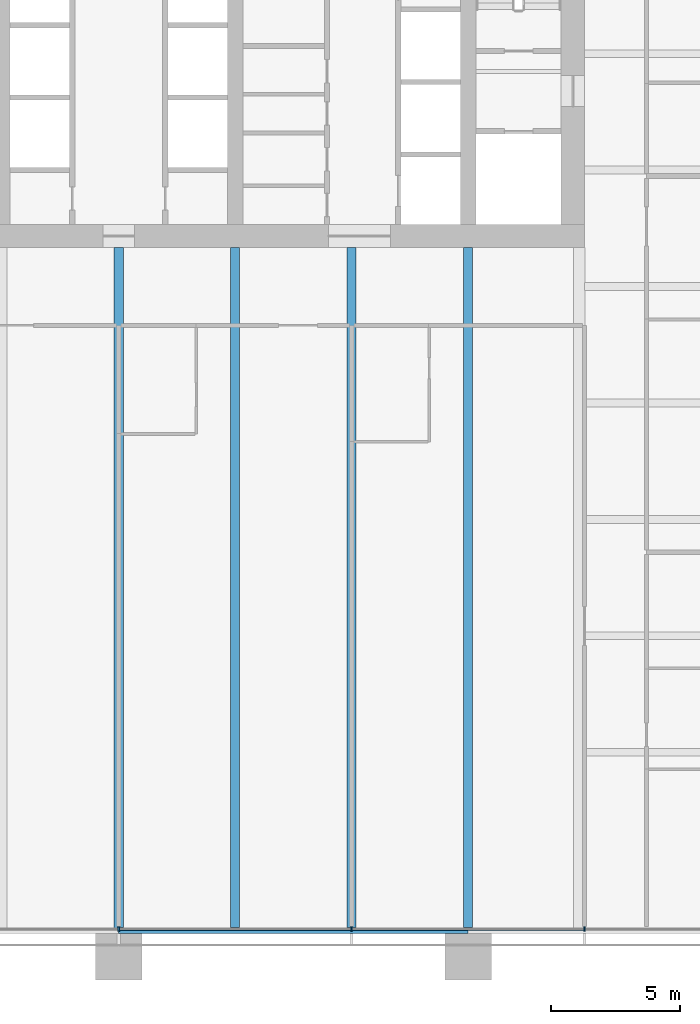
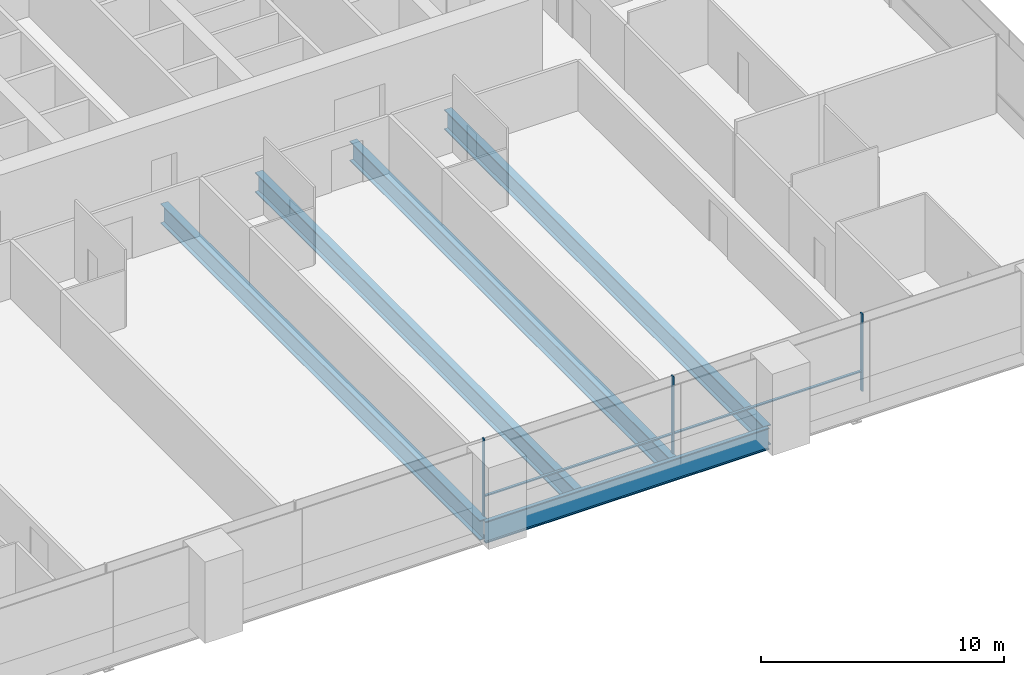
# One storey, part 5 of 19: 5 beams, 5 members, 1 element without a shape of its own.
"""IFC4 building model written with IfcOpenShell, lengths in metres."""

from ifc_helpers import new_model, si_unit, direction, frame, origin, origin_2d, place, context, subcontext, project, spatial, rectangle, i_section, extrude, material, material_profile, profile_set, type_object, element, aggregate, save


model = new_model("IFC4")

# Units and contexts
model_context = context("Model", 3, precision=1e-05, world=origin(), true_north=direction((0.0, 1.0)))
body_context = subcontext(model_context, "Body", "Model", "MODEL_VIEW")
ifc_project = project(units=[si_unit("LENGTHUNIT", "METRE"), si_unit("AREAUNIT", "SQUARE_METRE"), si_unit("VOLUMEUNIT", "CUBIC_METRE"), si_unit("PLANEANGLEUNIT", "RADIAN"), si_unit("MASSUNIT", "GRAM", prefix="KILO")], contexts=[model_context])

# Site, building, storey
site_placement = place(None, origin())
site = spatial("IfcSite", under=ifc_project, at=site_placement, CompositionType="ELEMENT")
building_placement = place(site_placement, origin())
building = spatial("IfcBuilding", under=site, at=building_placement, Name="Rattan Terrace Tower", CompositionType="ELEMENT")
storey_placement = place(building_placement, frame((0.0, 0.0, 65.199951171875)))
storey = spatial("IfcBuildingStorey", under=building, at=storey_placement, Name="L14", CompositionType="ELEMENT", Elevation=65.199951171875)

# Curtain wall, members
ifc_material_1 = material(Name="Aluminium and glass", Category="aluminium")
curtain_wall_type = type_object("IfcCurtainWallType", Name="Facade Unitised Curtain Wall", PredefinedType="NOTDEFINED", material=ifc_material_1)
curtain_wall_placement = place(storey_placement, origin())
curtain_wall = element("IfcCurtainWall", 1, at=curtain_wall_placement, inside=storey, type_object=curtain_wall_type, Name="Curtain wall L14-4", PredefinedType="NOTDEFINED")
ifc_material_2 = material(Name="Aluminium", Category="aluminium")
ifc_material_profile_1 = material_profile(ifc_material_2, rectangle(XDim=0.06005859375, YDim=0.159912109375, at=origin_2d()), Name="Aluminium 60x160")
ifc_profile_set_1 = profile_set([ifc_material_profile_1], Name="Aluminium")
member_type_1 = type_object("IfcMemberType", Name="Facade CW Mullion 60x160", PredefinedType="MULLION", material=ifc_profile_set_1)
member_1_placement = place(storey_placement, frame((0.0, -33.830078125, 0.0), z_axis=(0.0, 0.0, 1.0), x_axis=(1.0, 0.0, 0.0)))
member_1 = element("IfcMember", 2, at=member_1_placement, type_object=member_type_1, Name="Mullion cwl-L14-004.4", PredefinedType="MULLION", context=body_context, shape_type="SweptSolid", body=[
    extrude(rectangle(XDim=0.06005859375, YDim=0.159912109375, at=origin_2d()), origin(), (0.0, 0.0, 1.0), 3.900146484375),
])
member_2_placement = place(storey_placement, frame((9.0, -33.830078125, 0.0), z_axis=(0.0, 0.0, 1.0), x_axis=(1.0, 0.0, 0.0)))
member_2 = element("IfcMember", 3, at=member_2_placement, type_object=member_type_1, Name="Mullion cwl-L14-004.5", PredefinedType="MULLION", context=body_context, shape_type="SweptSolid", body=[
    extrude(rectangle(XDim=0.06005859375, YDim=0.159912109375, at=origin_2d()), origin(), (0.0, 0.0, 1.0), 3.900146484375),
])
member_3_placement = place(storey_placement, frame((18.0, -33.830078125, 0.0), z_axis=(0.0, 0.0, 1.0), x_axis=(1.0, 0.0, 0.0)))
member_3 = element("IfcMember", 4, at=member_3_placement, type_object=member_type_1, Name="Mullion cwl-L14-004.6", PredefinedType="MULLION", context=body_context, shape_type="SweptSolid", body=[
    extrude(rectangle(XDim=0.06005859375, YDim=0.159912109375, at=origin_2d()), origin(), (0.0, 0.0, 1.0), 3.900146484375),
])
ifc_material_3 = material(Name="Aluminium", Category="aluminium")
ifc_material_profile_2 = material_profile(ifc_material_3, rectangle(XDim=0.1201171875, YDim=0.06005859375, at=origin_2d()), Name="Aluminium 120x60")
ifc_profile_set_2 = profile_set([ifc_material_profile_2], Name="Aluminium")
member_type_2 = type_object("IfcMemberType", Name="Facade CW Transom 120x60", PredefinedType="USERDEFINED", material=ifc_profile_set_2)
member_4_placement = place(storey_placement, frame((0.030029296875, -33.830078125, 1.0), z_axis=(1.0, 0.0, 0.0), x_axis=(0.0, 1.0, 0.0)))
member_4 = element("IfcMember", 5, at=member_4_placement, type_object=member_type_2, Name="Transom cwl-L14-004.4", ObjectType="TRANSOM", PredefinedType="USERDEFINED", context=body_context, shape_type="SweptSolid", body=[
    extrude(rectangle(XDim=0.1201171875, YDim=0.06005859375, at=origin_2d()), origin(), (0.0, 0.0, 1.0), 8.93994140625),
])
member_5_placement = place(storey_placement, frame((9.030029296875, -33.830078125, 1.0), z_axis=(1.0, 0.0, 0.0), x_axis=(0.0, 1.0, 0.0)))
member_5 = element("IfcMember", 6, at=member_5_placement, type_object=member_type_2, Name="Transom cwl-L14-004.5", ObjectType="TRANSOM", PredefinedType="USERDEFINED", context=body_context, shape_type="SweptSolid", body=[
    extrude(rectangle(XDim=0.1201171875, YDim=0.06005859375, at=origin_2d()), origin(), (0.0, 0.0, 1.0), 8.93994140625),
])
aggregate(curtain_wall, [member_1, member_2, member_3, member_4, member_5])

# Beams
ifc_material_4 = material(Name="Steel S460", Category="steel")
ifc_material_profile_3 = material_profile(ifc_material_4, i_section(OverallWidth=0.179931640625, OverallDepth=1.10009765625, WebThickness=0.01611328125, FlangeThickness=0.050048828125, at=origin_2d()), Name="PG 1100x180-16-50")
ifc_profile_set_3 = profile_set([ifc_material_profile_3], Name="Steel S460")
beam_type_1 = type_object("IfcBeamType", Name="Frame edge girder PG 1100x180-16-50", PredefinedType="SPANDREL", material=ifc_profile_set_3)
beam_placement = place(storey_placement, frame((0.0, -33.909912109375, -0.75), z_axis=(1.0, 0.0, 0.0), x_axis=(0.0, 1.0, 0.0)))
element("IfcBeam", 7, at=beam_placement, inside=storey, type_object=beam_type_1, Name="gdr-L14-003", PredefinedType="SPANDREL", context=body_context, shape_type="SweptSolid", body=[
    extrude(i_section(OverallWidth=0.179931640625, OverallDepth=1.10009765625, WebThickness=0.01611328125, FlangeThickness=0.050048828125, at=origin_2d()), origin(), (0.0, 0.0, 1.0), 13.5),
])
ifc_material_5 = material(Name="Steel S460", Category="steel")
ifc_material_profile_4 = material_profile(ifc_material_5, i_section(OverallWidth=0.35009765625, OverallDepth=1.0, WebThickness=0.01611328125, FlangeThickness=0.044921875, at=origin_2d()), Name="PG 1000x350-16-45")
ifc_profile_set_4 = profile_set([ifc_material_profile_4], Name="Steel S460")
beam_type_2 = type_object("IfcBeamType", Name="Frame floor beam PG 1000x350-16-45", PredefinedType="JOIST", material=ifc_profile_set_4)
for number, where, z_axis, x_axis, name in (
    (8, (0.0, -33.820068359375, -0.699951171875), (0.0, 1.0, 0.0), (-1.0, 0.0, 0.0), "bm-L14-006"),
    (9, (4.5, -33.820068359375, -0.699951171875), (0.0, 1.0, 0.0), (-1.0, 0.0, 0.0), "bm-L14-007"),
    (10, (9.0, -33.820068359375, -0.699951171875), (0.0, 1.0, 0.0), (-1.0, 0.0, 0.0), "bm-L14-008"),
    (11, (13.5, -33.820068359375, -0.699951171875), (0.0, 1.0, 0.0), (-1.0, 0.0, 0.0), "bm-L14-009"),
):
    element("IfcBeam", number, at=place(storey_placement, frame(where, z_axis=z_axis, x_axis=x_axis)), inside=storey, type_object=beam_type_2, Name=name, PredefinedType="JOIST", context=body_context, shape_type="SweptSolid", body=[
        extrude(i_section(OverallWidth=0.35009765625, OverallDepth=1.0, WebThickness=0.01611328125, FlangeThickness=0.044921875, at=origin_2d()), origin(), (0.0, 0.0, 1.0), 26.320068359375),
    ])

save(model, "model.ifc")
